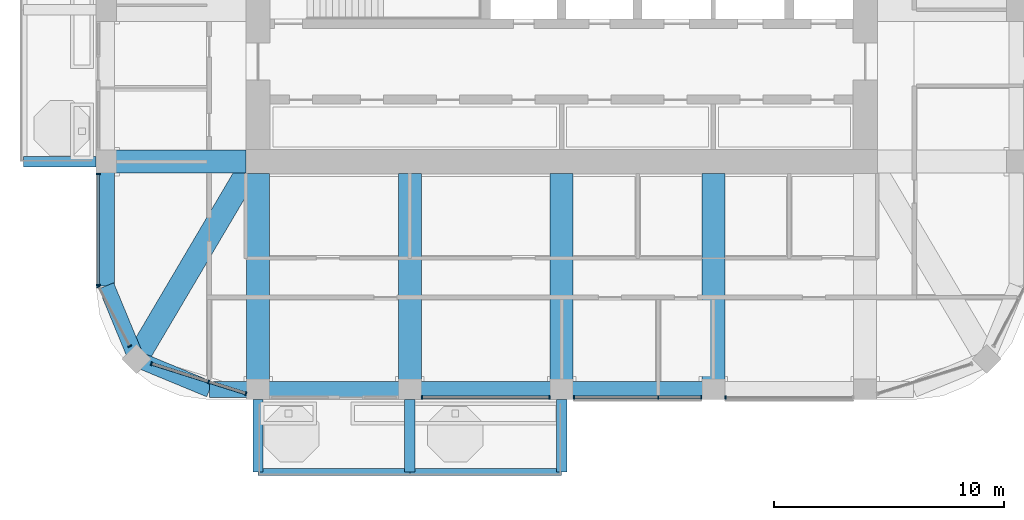
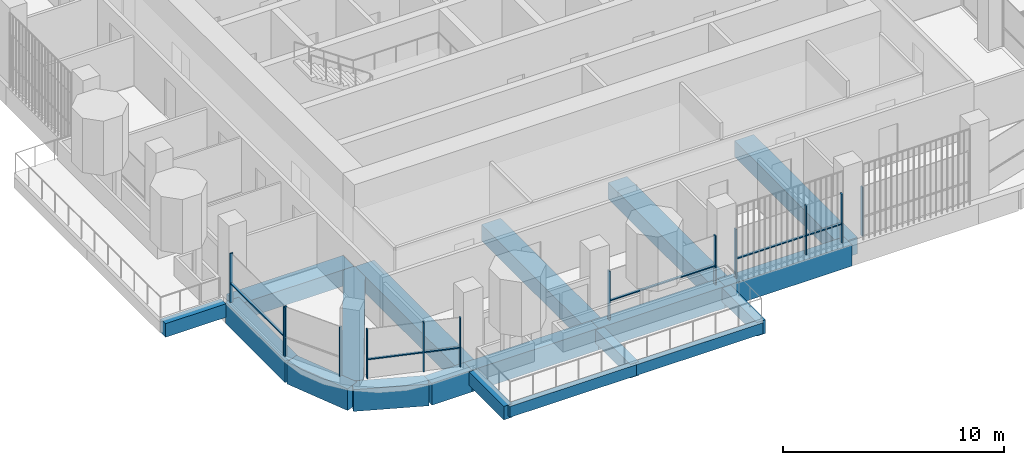
# One storey, part 2 of 18: 19 beams, 19 members, 6 elements without a shape of their own.
"""IFC4 building model written with IfcOpenShell, lengths in metres."""

from ifc_helpers import new_model, si_unit, direction, frame, origin, origin_2d, place, context, subcontext, project, spatial, rectangle, extrude, material, material_profile, profile_set, type_object, element, aggregate, save


model = new_model("IFC4")

# Units and contexts
model_context = context("Model", 3, precision=1e-05, world=origin(), true_north=direction((0.0, 1.0)))
body_context = subcontext(model_context, "Body", "Model", "MODEL_VIEW")
ifc_project = project(units=[si_unit("LENGTHUNIT", "METRE"), si_unit("AREAUNIT", "SQUARE_METRE"), si_unit("VOLUMEUNIT", "CUBIC_METRE"), si_unit("PLANEANGLEUNIT", "RADIAN"), si_unit("MASSUNIT", "GRAM", prefix="KILO")], contexts=[model_context])

# Site, building, storey
site_placement = place(None, origin())
site = spatial("IfcSite", under=ifc_project, at=site_placement, CompositionType="ELEMENT")
building_placement = place(site_placement, origin())
building = spatial("IfcBuilding", under=site, at=building_placement, Name="Cobogo Forest Laboratory Tower", CompositionType="ELEMENT")
storey_placement = place(building_placement, frame((0.0, 0.0, 271.199951171875)))
storey = spatial("IfcBuildingStorey", under=building, at=storey_placement, Name="L62", CompositionType="ELEMENT", Elevation=271.199951171875)

# Beams
ifc_material_1 = material(Name="Concrete HA-40 (C40/50)", Category="concrete")
ifc_material_profile_1 = material_profile(ifc_material_1, rectangle(XDim=0.449951171875, YDim=0.75, at=origin_2d()), Name="RC 450x750")
ifc_profile_set_1 = profile_set([ifc_material_profile_1], Name="Concrete HA-40 (C40/50)")
beam_type_1 = type_object("IfcBeamType", Name="Balcony cantilever beam 450x750", PredefinedType="BEAM", material=ifc_profile_set_1)
for number, where, z_axis, x_axis, name in (
    (1, (13.199951171875, 2.85009765625, -0.625), (0.0, -1.0, 0.0), (1.0, 0.0, 0.0), "CB1 BAL-S1-C1 L62"),
    (2, (19.800048828125, 2.85009765625, -0.625), (0.0, -1.0, 0.0), (1.0, 0.0, 0.0), "CB1 BAL-S1-C2 L62"),
    (3, (26.39990234375, 2.85009765625, -0.625), (0.0, -1.0, 0.0), (1.0, 0.0, 0.0), "CB1 BAL-S1-C3 L62"),
):
    element("IfcBeam", number, at=place(storey_placement, frame(where, z_axis=z_axis, x_axis=x_axis)), inside=storey, type_object=beam_type_1, Name=name, PredefinedType="BEAM", context=body_context, shape_type="SweptSolid", body=[
        extrude(rectangle(XDim=0.449951171875, YDim=0.75, at=origin_2d()), origin(), (0.0, 0.0, 1.0), 3.150146484375),
    ])
beam_1_placement = place(storey_placement, frame((6.14990234375, 13.199951171875, -0.625), z_axis=(-1.0, 0.0, 0.0), x_axis=(0.0, -1.0, 0.0)))
element("IfcBeam", 4, at=beam_1_placement, inside=storey, type_object=beam_type_1, Name="CB1 BAL-W1-C1 L62", PredefinedType="BEAM", context=body_context, shape_type="SweptSolid", body=[
    extrude(rectangle(XDim=0.449951171875, YDim=0.75, at=origin_2d()), origin(), (0.0, 0.0, 1.0), 3.14990234375),
])
ifc_material_profile_2 = material_profile(ifc_material_1, rectangle(XDim=0.300048828125, YDim=0.60009765625, at=origin_2d()), Name="RC 300x600")
ifc_profile_set_2 = profile_set([ifc_material_profile_2], Name="Concrete HA-40 (C40/50)")
beam_type_2 = type_object("IfcBeamType", Name="Balcony edge beam 300x600", PredefinedType="BEAM", material=ifc_profile_set_2)
beam_2_placement = place(storey_placement, frame((13.199951171875, -0.300048828125, -0.550048828125), z_axis=(1.0, 0.0, 0.0), x_axis=(0.0, 1.0, 0.0)))
element("IfcBeam", 5, at=beam_2_placement, inside=storey, type_object=beam_type_2, Name="BB1 BAL-S1-T1 L62", PredefinedType="BEAM", context=body_context, shape_type="SweptSolid", body=[
    extrude(rectangle(XDim=0.300048828125, YDim=0.60009765625, at=origin_2d()), origin(), (0.0, 0.0, 1.0), 6.60009765625),
])
beam_3_placement = place(storey_placement, frame((19.800048828125, -0.300048828125, -0.550048828125), z_axis=(1.0, 0.0, 0.0), x_axis=(0.0, 1.0, 0.0)))
element("IfcBeam", 6, at=beam_3_placement, inside=storey, type_object=beam_type_2, Name="BB1 BAL-S1-T2 L62", PredefinedType="BEAM", context=body_context, shape_type="SweptSolid", body=[
    extrude(rectangle(XDim=0.300048828125, YDim=0.60009765625, at=origin_2d()), origin(), (0.0, 0.0, 1.0), 6.599853515625),
])

# Curtain wall, members
ifc_material_2 = material(Name="Aluminium curtain wall", Category="aluminium")
curtain_wall_type = type_object("IfcCurtainWallType", Name="CW-2 unitised curtain wall, solar control glazing, laboratory floors zones C and D", PredefinedType="USERDEFINED", material=ifc_material_2)
curtain_wall_1_placement = place(storey_placement, origin())
curtain_wall_1 = element("IfcCurtainWall", 7, at=curtain_wall_1_placement, inside=storey, type_object=curtain_wall_type, Name="Curtain wall 02 L62", ObjectType="UNITISED CURTAIN WALL", PredefinedType="USERDEFINED")
ifc_material_3 = material(Name="Aluminium mullion", Category="aluminium")
ifc_material_profile_3 = material_profile(ifc_material_3, rectangle(XDim=0.06005859375, YDim=0.159912109375, at=origin_2d()), Name="AL 60x160")
ifc_profile_set_3 = profile_set([ifc_material_profile_3], Name="Aluminium mullion")
member_type_1 = type_object("IfcMemberType", Name="MU-1 aluminium mullion 60x160", PredefinedType="MULLION", material=ifc_profile_set_3)
member_1_placement = place(storey_placement, frame((20.330078125, 2.949951171875, 0.0), z_axis=(0.0, 0.0, 1.0), x_axis=(1.0, 0.0, 0.0)))
member_1 = element("IfcMember", 8, at=member_1_placement, type_object=member_type_1, Name="CW-2 mullion 1", PredefinedType="MULLION", context=body_context, shape_type="SweptSolid", body=[
    extrude(rectangle(XDim=0.06005859375, YDim=0.159912109375, at=origin_2d()), origin(), (0.0, 0.0, 1.0), 2.699951171875),
])
member_2_placement = place(storey_placement, frame((25.8701171875, 2.949951171875, 0.0), z_axis=(0.0, 0.0, 1.0), x_axis=(1.0, 0.0, 0.0)))
member_2 = element("IfcMember", 9, at=member_2_placement, type_object=member_type_1, Name="CW-2 mullion 2", PredefinedType="MULLION", context=body_context, shape_type="SweptSolid", body=[
    extrude(rectangle(XDim=0.06005859375, YDim=0.159912109375, at=origin_2d()), origin(), (0.0, 0.0, 1.0), 2.699951171875),
])

curtain_wall_2_placement = place(storey_placement, origin())
curtain_wall_2 = element("IfcCurtainWall", 10, at=curtain_wall_2_placement, inside=storey, type_object=curtain_wall_type, Name="Curtain wall 03 L62", ObjectType="UNITISED CURTAIN WALL", PredefinedType="USERDEFINED")
member_3_placement = place(storey_placement, frame((26.929931640625, 2.949951171875, 0.0), z_axis=(0.0, 0.0, 1.0), x_axis=(1.0, 0.0, 0.0)))
member_3 = element("IfcMember", 11, at=member_3_placement, type_object=member_type_1, Name="CW-2 mullion 1", PredefinedType="MULLION", context=body_context, shape_type="SweptSolid", body=[
    extrude(rectangle(XDim=0.06005859375, YDim=0.159912109375, at=origin_2d()), origin(), (0.0, 0.0, 1.0), 2.699951171875),
])
member_4_placement = place(storey_placement, frame((30.60009765625, 2.949951171875, 0.0), z_axis=(0.0, 0.0, 1.0), x_axis=(1.0, 0.0, 0.0)))
member_4 = element("IfcMember", 12, at=member_4_placement, type_object=member_type_1, Name="CW-2 mullion 2", PredefinedType="MULLION", context=body_context, shape_type="SweptSolid", body=[
    extrude(rectangle(XDim=0.06005859375, YDim=0.159912109375, at=origin_2d()), origin(), (0.0, 0.0, 1.0), 2.699951171875),
])
member_5_placement = place(storey_placement, frame((32.469970703125, 2.949951171875, 0.0), z_axis=(0.0, 0.0, 1.0), x_axis=(1.0, 0.0, 0.0)))
member_5 = element("IfcMember", 13, at=member_5_placement, type_object=member_type_1, Name="CW-2 mullion 3", PredefinedType="MULLION", context=body_context, shape_type="SweptSolid", body=[
    extrude(rectangle(XDim=0.06005859375, YDim=0.159912109375, at=origin_2d()), origin(), (0.0, 0.0, 1.0), 2.699951171875),
])

# Curtain wall, member
curtain_wall_3_placement = place(storey_placement, origin())
curtain_wall_3 = element("IfcCurtainWall", 14, at=curtain_wall_3_placement, inside=storey, type_object=curtain_wall_type, Name="Curtain wall 04 L62", ObjectType="UNITISED CURTAIN WALL", PredefinedType="USERDEFINED")
member_6_placement = place(storey_placement, frame((33.530029296875, 2.949951171875, 0.0), z_axis=(0.0, 0.0, 1.0), x_axis=(1.0, 0.0, 0.0)))
member_6 = element("IfcMember", 15, at=member_6_placement, type_object=member_type_1, Name="CW-2 mullion 1", PredefinedType="MULLION", context=body_context, shape_type="SweptSolid", body=[
    extrude(rectangle(XDim=0.06005859375, YDim=0.159912109375, at=origin_2d()), origin(), (0.0, 0.0, 1.0), 2.699951171875),
])
aggregate(curtain_wall_3, [member_6])

# Curtain wall, members
curtain_wall_4_placement = place(storey_placement, origin())
curtain_wall_4 = element("IfcCurtainWall", 16, at=curtain_wall_4_placement, inside=storey, type_object=curtain_wall_type, Name="Curtain wall 24 L62", ObjectType="UNITISED CURTAIN WALL", PredefinedType="USERDEFINED")
member_7_placement = place(storey_placement, frame((6.25, 12.669921875, 0.0), z_axis=(0.0, 0.0, 1.0), x_axis=(0.0, -1.0, 0.0)))
member_7 = element("IfcMember", 17, at=member_7_placement, type_object=member_type_1, Name="CW-2 mullion 1", PredefinedType="MULLION", context=body_context, shape_type="SweptSolid", body=[
    extrude(rectangle(XDim=0.06005859375, YDim=0.159912109375, at=origin_2d()), origin(), (0.0, 0.0, 1.0), 2.699951171875),
])
member_8_placement = place(storey_placement, frame((6.25, 7.830078125, 0.0), z_axis=(0.0, 0.0, 1.0), x_axis=(0.0, -1.0, 0.0)))
member_8 = element("IfcMember", 18, at=member_8_placement, type_object=member_type_1, Name="CW-2 mullion 2", PredefinedType="MULLION", context=body_context, shape_type="SweptSolid", body=[
    extrude(rectangle(XDim=0.06005859375, YDim=0.159912109375, at=origin_2d()), origin(), (0.0, 0.0, 1.0), 2.699951171875),
])

curtain_wall_5_placement = place(storey_placement, origin())
curtain_wall_5 = element("IfcCurtainWall", 19, at=curtain_wall_5_placement, inside=storey, type_object=curtain_wall_type, Name="Curtain wall 25 L62", ObjectType="UNITISED CURTAIN WALL", PredefinedType="USERDEFINED")
member_9_placement = place(storey_placement, frame((6.263916015625, 7.7734375, 0.0), z_axis=(0.0, 0.0, 1.0), x_axis=(0.464283778337, -0.885686498245, 0.0)))
member_9 = element("IfcMember", 20, at=member_9_placement, type_object=member_type_1, Name="CW-2 mullion 1", PredefinedType="MULLION", context=body_context, shape_type="SweptSolid", body=[
    extrude(rectangle(XDim=0.06005859375, YDim=0.159912109375, at=origin_2d()), origin(), (0.0, 0.0, 1.0), 2.699951171875),
])
member_10_placement = place(storey_placement, frame((7.6220703125, 5.1826171875, 0.0), z_axis=(0.0, 0.0, 1.0), x_axis=(0.464283778337, -0.885686498245, 0.0)))
member_10 = element("IfcMember", 21, at=member_10_placement, type_object=member_type_1, Name="CW-2 mullion 2", PredefinedType="MULLION", context=body_context, shape_type="SweptSolid", body=[
    extrude(rectangle(XDim=0.06005859375, YDim=0.159912109375, at=origin_2d()), origin(), (0.0, 0.0, 1.0), 2.699951171875),
])
aggregate(curtain_wall_5, [member_9, member_10])

curtain_wall_6_placement = place(storey_placement, origin())
curtain_wall_6 = element("IfcCurtainWall", 22, at=curtain_wall_6_placement, inside=storey, type_object=curtain_wall_type, Name="Curtain wall 26 L62", ObjectType="UNITISED CURTAIN WALL", PredefinedType="USERDEFINED")
member_11_placement = place(storey_placement, frame((8.570068359375, 4.412109375, 0.0), z_axis=(0.0, 0.0, 1.0), x_axis=(0.953581379409, -0.301135439371, 0.0)))
member_11 = element("IfcMember", 23, at=member_11_placement, type_object=member_type_1, Name="CW-2 mullion 1", PredefinedType="MULLION", context=body_context, shape_type="SweptSolid", body=[
    extrude(rectangle(XDim=0.06005859375, YDim=0.159912109375, at=origin_2d()), origin(), (0.0, 0.0, 1.0), 2.699951171875),
])
member_12_placement = place(storey_placement, frame((11.051025390625, 3.628662109375, 0.0), z_axis=(0.0, 0.0, 1.0), x_axis=(0.953581379409, -0.301135439371, 0.0)))
member_12 = element("IfcMember", 24, at=member_12_placement, type_object=member_type_1, Name="CW-2 mullion 2", PredefinedType="MULLION", context=body_context, shape_type="SweptSolid", body=[
    extrude(rectangle(XDim=0.06005859375, YDim=0.159912109375, at=origin_2d()), origin(), (0.0, 0.0, 1.0), 2.699951171875),
])
member_13_placement = place(storey_placement, frame((12.67138671875, 3.116943359375, 0.0), z_axis=(0.0, 0.0, 1.0), x_axis=(0.953581379409, -0.301135439371, 0.0)))
member_13 = element("IfcMember", 25, at=member_13_placement, type_object=member_type_1, Name="CW-2 mullion 3", PredefinedType="MULLION", context=body_context, shape_type="SweptSolid", body=[
    extrude(rectangle(XDim=0.06005859375, YDim=0.159912109375, at=origin_2d()), origin(), (0.0, 0.0, 1.0), 2.699951171875),
])

# Beams
ifc_material_profile_4 = material_profile(ifc_material_1, rectangle(XDim=1.0, YDim=0.89990234375, at=origin_2d()), Name="RC 1000x900")
ifc_profile_set_4 = profile_set([ifc_material_profile_4], Name="Concrete HA-40 (C40/50)")
beam_type_3 = type_object("IfcBeamType", Name="Office floor wide beam 1000x900", PredefinedType="BEAM", material=ifc_profile_set_4)
for number, where, z_axis, x_axis, name in (
    (26, (13.199951171875, 12.675048828125, -0.75), (0.0, -1.0, 0.0), (1.0, 0.0, 0.0), "RB2 R-3-S L62"),
    (27, (19.800048828125, 12.675048828125, -0.75), (0.0, -1.0, 0.0), (1.0, 0.0, 0.0), "RB2 R-4-S L62"),
    (28, (26.39990234375, 12.675048828125, -0.75), (0.0, -1.0, 0.0), (1.0, 0.0, 0.0), "RB2 R-5-S L62"),
    (29, (33.0, 12.675048828125, -0.75), (0.0, -1.0, 0.0), (1.0, 0.0, 0.0), "RB2 R-6-S L62"),
):
    element("IfcBeam", number, at=place(storey_placement, frame(where, z_axis=z_axis, x_axis=x_axis)), inside=storey, type_object=beam_type_3, Name=name, PredefinedType="BEAM", context=body_context, shape_type="SweptSolid", body=[
        extrude(rectangle(XDim=1.0, YDim=0.89990234375, at=origin_2d()), origin(), (0.0, 0.0, 1.0), 9.375),
    ])
beam_4_placement = place(storey_placement, frame((12.675048828125, 13.199951171875, -0.75), z_axis=(-1.0, 0.0, 0.0), x_axis=(0.0, -1.0, 0.0)))
element("IfcBeam", 30, at=beam_4_placement, inside=storey, type_object=beam_type_3, Name="RB2 R-C-W L62", PredefinedType="BEAM", context=body_context, shape_type="SweptSolid", body=[
    extrude(rectangle(XDim=1.0, YDim=0.89990234375, at=origin_2d()), origin(), (0.0, 0.0, 1.0), 6.074951171875),
])
beam_5_placement = place(storey_placement, frame((7.91796875, 4.617919921875, -0.75), z_axis=(0.508416325908, 0.861111397875, 0.0), x_axis=(-0.861111397875, 0.508416325908, 0.0)))
element("IfcBeam", 31, at=beam_5_placement, inside=storey, type_object=beam_type_3, Name="RB2 G-SW-D1 L62", PredefinedType="BEAM", context=body_context, shape_type="SweptSolid", body=[
    extrude(rectangle(XDim=1.0, YDim=0.89990234375, at=origin_2d()), origin(), (0.0, 0.0, 1.0), 9.356689453125),
])
ifc_material_profile_5 = material_profile(ifc_material_1, rectangle(XDim=0.699951171875, YDim=1.199951171875, at=origin_2d()), Name="RC 700x1200")
ifc_profile_set_5 = profile_set([ifc_material_profile_5], Name="Concrete HA-40 (C40/50)")
beam_type_4 = type_object("IfcBeamType", Name="Perimeter edge beam 700x1200", PredefinedType="BEAM", material=ifc_profile_set_5)
beam_6_placement = place(storey_placement, frame((13.199951171875, 3.300048828125, -0.89990234375), z_axis=(1.0, 0.0, 0.0), x_axis=(0.0, 1.0, 0.0)))
element("IfcBeam", 32, at=beam_6_placement, inside=storey, type_object=beam_type_4, Name="EB1 E-S1 L62", PredefinedType="BEAM", context=body_context, shape_type="SweptSolid", body=[
    extrude(rectangle(XDim=0.699951171875, YDim=1.199951171875, at=origin_2d()), origin(), (0.0, 0.0, 1.0), 6.60009765625),
])
beam_7_placement = place(storey_placement, frame((19.800048828125, 3.300048828125, -0.89990234375), z_axis=(1.0, 0.0, 0.0), x_axis=(0.0, 1.0, 0.0)))
element("IfcBeam", 33, at=beam_7_placement, inside=storey, type_object=beam_type_4, Name="EB1 E-S2 L62", PredefinedType="BEAM", context=body_context, shape_type="SweptSolid", body=[
    extrude(rectangle(XDim=0.699951171875, YDim=1.199951171875, at=origin_2d()), origin(), (0.0, 0.0, 1.0), 6.599853515625),
])
beam_8_placement = place(storey_placement, frame((26.39990234375, 3.300048828125, -0.89990234375), z_axis=(1.0, 0.0, 0.0), x_axis=(0.0, 1.0, 0.0)))
element("IfcBeam", 34, at=beam_8_placement, inside=storey, type_object=beam_type_4, Name="EB1 E-S3 L62", PredefinedType="BEAM", context=body_context, shape_type="SweptSolid", body=[
    extrude(rectangle(XDim=0.699951171875, YDim=1.199951171875, at=origin_2d()), origin(), (0.0, 0.0, 1.0), 6.60009765625),
])
beam_9_placement = place(storey_placement, frame((13.199951171875, 3.300048828125, -0.89990234375), z_axis=(-1.0, 0.0, 0.0), x_axis=(0.0, -1.0, 0.0)))
element("IfcBeam", 35, at=beam_9_placement, inside=storey, type_object=beam_type_4, Name="EB1 E-SWS1 L62", PredefinedType="BEAM", context=body_context, shape_type="SweptSolid", body=[
    extrude(rectangle(XDim=0.699951171875, YDim=1.199951171875, at=origin_2d()), origin(), (0.0, 0.0, 1.0), 2.099853515625),
])
beam_10_placement = place(storey_placement, frame((11.10009765625, 3.300048828125, -0.89990234375), z_axis=(-0.923901072997, 0.382631424892, 0.0), x_axis=(-0.382631424892, -0.923901072997, 0.0)))
element("IfcBeam", 36, at=beam_10_placement, inside=storey, type_object=beam_type_4, Name="EB1 E-SWS2 L62", PredefinedType="BEAM", context=body_context, shape_type="SweptSolid", body=[
    extrude(rectangle(XDim=0.699951171875, YDim=1.199951171875, at=origin_2d()), origin(), (0.0, 0.0, 1.0), 3.4443359375),
])
beam_11_placement = place(storey_placement, frame((6.60009765625, 13.199951171875, -0.89990234375), z_axis=(0.0, -1.0, 0.0), x_axis=(1.0, 0.0, 0.0)))
element("IfcBeam", 37, at=beam_11_placement, inside=storey, type_object=beam_type_4, Name="EB1 E-SWW1 L62", PredefinedType="BEAM", context=body_context, shape_type="SweptSolid", body=[
    extrude(rectangle(XDim=0.699951171875, YDim=1.199951171875, at=origin_2d()), origin(), (0.0, 0.0, 1.0), 5.39990234375),
])
beam_12_placement = place(storey_placement, frame((6.60009765625, 7.800048828125, -0.89990234375), z_axis=(0.382631424892, -0.923901072997, 0.0), x_axis=(0.923901072997, 0.382631424892, 0.0)))
element("IfcBeam", 38, at=beam_12_placement, inside=storey, type_object=beam_type_4, Name="EB1 E-SWW2 L62", PredefinedType="BEAM", context=body_context, shape_type="SweptSolid", body=[
    extrude(rectangle(XDim=0.699951171875, YDim=1.199951171875, at=origin_2d()), origin(), (0.0, 0.0, 1.0), 3.4443359375),
])

# Member
ifc_material_4 = material(Name="Aluminium transom", Category="aluminium")
ifc_material_profile_6 = material_profile(ifc_material_4, rectangle(XDim=0.1201171875, YDim=0.06005859375, at=origin_2d()), Name="AL 60x120")
ifc_profile_set_6 = profile_set([ifc_material_profile_6], Name="Aluminium transom")
member_type_2 = type_object("IfcMemberType", Name="TR-1 aluminium transom 60x120", PredefinedType="USERDEFINED", material=ifc_profile_set_6)
member_14_placement = place(storey_placement, frame((20.360107421875, 2.949951171875, 1.050048828125), z_axis=(1.0, 0.0, 0.0), x_axis=(0.0, 1.0, 0.0)))
member_14 = element("IfcMember", 39, at=member_14_placement, type_object=member_type_2, Name="CW-2 transom 1.1", ObjectType="TRANSOM", PredefinedType="USERDEFINED", context=body_context, shape_type="SweptSolid", body=[
    extrude(rectangle(XDim=0.1201171875, YDim=0.06005859375, at=origin_2d()), origin(), (0.0, 0.0, 1.0), 5.47998046875),
])

aggregate(curtain_wall_1, [member_1, member_2, member_14])

member_15_placement = place(storey_placement, frame((26.9599609375, 2.949951171875, 1.050048828125), z_axis=(1.0, 0.0, 0.0), x_axis=(0.0, 1.0, 0.0)))
member_15 = element("IfcMember", 40, at=member_15_placement, type_object=member_type_2, Name="CW-2 transom 1.1", ObjectType="TRANSOM", PredefinedType="USERDEFINED", context=body_context, shape_type="SweptSolid", body=[
    extrude(rectangle(XDim=0.1201171875, YDim=0.06005859375, at=origin_2d()), origin(), (0.0, 0.0, 1.0), 3.610107421875),
])

member_16_placement = place(storey_placement, frame((30.6298828125, 2.949951171875, 1.050048828125), z_axis=(1.0, 0.0, 0.0), x_axis=(0.0, 1.0, 0.0)))
member_16 = element("IfcMember", 41, at=member_16_placement, type_object=member_type_2, Name="CW-2 transom 2.1", ObjectType="TRANSOM", PredefinedType="USERDEFINED", context=body_context, shape_type="SweptSolid", body=[
    extrude(rectangle(XDim=0.1201171875, YDim=0.06005859375, at=origin_2d()), origin(), (0.0, 0.0, 1.0), 1.81005859375),
])

aggregate(curtain_wall_2, [member_3, member_4, member_5, member_15, member_16])

member_17_placement = place(storey_placement, frame((6.25, 12.639892578125, 1.050048828125), z_axis=(0.0, -1.0, 0.0), x_axis=(1.0, 0.0, 0.0)))
member_17 = element("IfcMember", 42, at=member_17_placement, type_object=member_type_2, Name="CW-2 transom 1.1", ObjectType="TRANSOM", PredefinedType="USERDEFINED", context=body_context, shape_type="SweptSolid", body=[
    extrude(rectangle(XDim=0.1201171875, YDim=0.06005859375, at=origin_2d()), origin(), (0.0, 0.0, 1.0), 4.77978515625),
])

aggregate(curtain_wall_4, [member_7, member_8, member_17])

member_18_placement = place(storey_placement, frame((8.5986328125, 4.403076171875, 1.050048828125), z_axis=(0.953578309712, -0.301145159761, 0.0), x_axis=(0.301145159761, 0.953578309712, 0.0)))
member_18 = element("IfcMember", 43, at=member_18_placement, type_object=member_type_2, Name="CW-2 transom 1.1", ObjectType="TRANSOM", PredefinedType="USERDEFINED", context=body_context, shape_type="SweptSolid", body=[
    extrude(rectangle(XDim=0.1201171875, YDim=0.06005859375, at=origin_2d()), origin(), (0.0, 0.0, 1.0), 2.54150390625),
])

member_19_placement = place(storey_placement, frame((11.07958984375, 3.61962890625, 1.050048828125), z_axis=(0.953582665134, -0.301131367937, 0.0), x_axis=(0.301131367937, 0.953582665134, 0.0)))
member_19 = element("IfcMember", 44, at=member_19_placement, type_object=member_type_2, Name="CW-2 transom 2.1", ObjectType="TRANSOM", PredefinedType="USERDEFINED", context=body_context, shape_type="SweptSolid", body=[
    extrude(rectangle(XDim=0.1201171875, YDim=0.06005859375, at=origin_2d()), origin(), (0.0, 0.0, 1.0), 1.639404296875),
])

aggregate(curtain_wall_6, [member_11, member_12, member_13, member_18, member_19])

save(model, "model.ifc")
